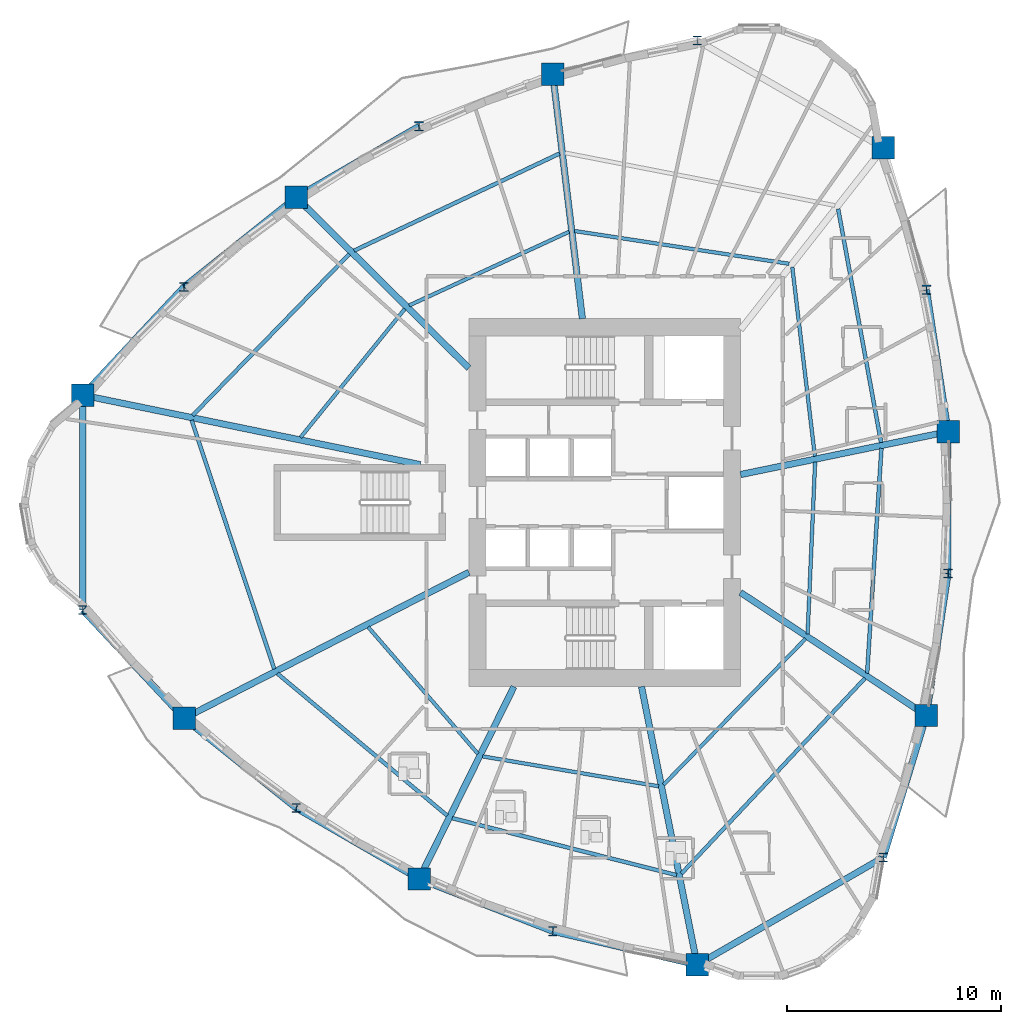
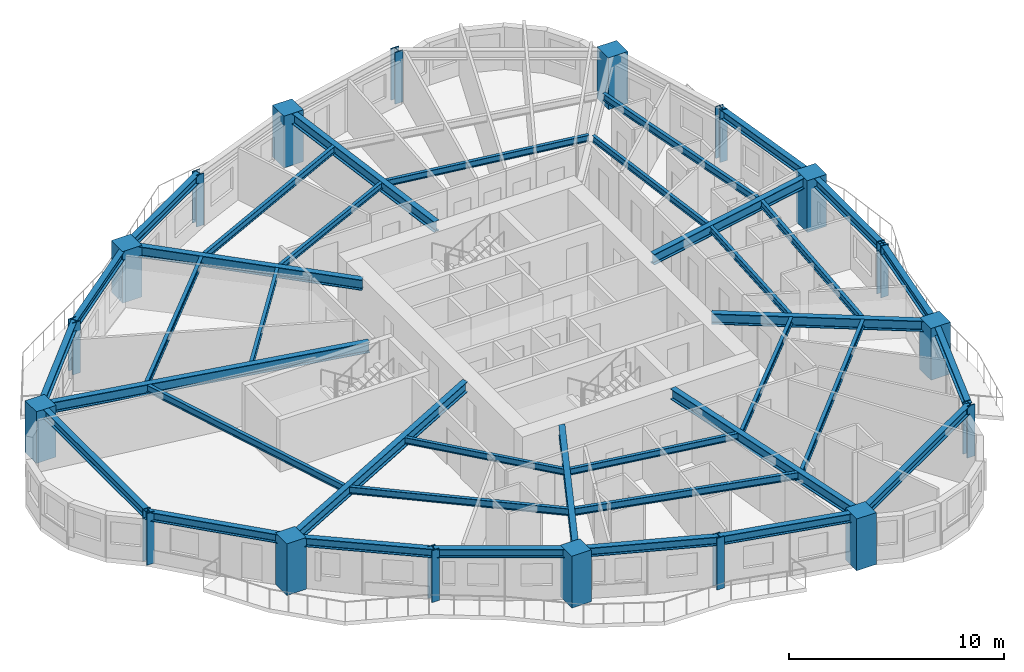
# One storey, part 1 of 14: 38 beams, 18 columns.
"""IFC4 building model written with IfcOpenShell, lengths in metres."""

from ifc_helpers import new_model, si_unit, direction, frame, origin, origin_2d, place, context, subcontext, project, spatial, rectangle, i_section, extrude, source, transform, mapped, material, material_profile, profile_set, type_object, element, save


model = new_model("IFC4")

# Units and contexts
model_context = context("Model", 3, precision=1e-05, world=origin(), true_north=direction((0.0, 1.0)))
body_context = subcontext(model_context, "Body", "Model", "MODEL_VIEW")
ifc_project = project(units=[si_unit("LENGTHUNIT", "METRE"), si_unit("AREAUNIT", "SQUARE_METRE"), si_unit("VOLUMEUNIT", "CUBIC_METRE"), si_unit("PLANEANGLEUNIT", "RADIAN"), si_unit("MASSUNIT", "GRAM", prefix="KILO")], contexts=[model_context])

# Site, building, storey
site_placement = place(None, origin())
site = spatial("IfcSite", under=ifc_project, at=site_placement, CompositionType="ELEMENT")
building_placement = place(site_placement, origin())
building = spatial("IfcBuilding", under=site, at=building_placement, Name="Qafzar Sky-Pleat Residences", CompositionType="ELEMENT")
storey_placement = place(building_placement, frame((0.0, 0.0, 20.60009765625)))
storey = spatial("IfcBuildingStorey", under=building, at=storey_placement, Name="L05", CompositionType="ELEMENT", Elevation=20.60009765625)

# Columns
ifc_material_1 = material(Name="Concrete C60/75", Category="concrete")
ifc_material_profile_1 = material_profile(ifc_material_1, rectangle(XDim=1.050048828125, YDim=1.050048828125, at=origin_2d()), Name="RC 1050x1050")
ifc_profile_set_1 = profile_set([ifc_material_profile_1], Name="Concrete C60/75")
column_type_1 = type_object("IfcColumnType", Name="COL-RC-1050", PredefinedType="COLUMN", material=ifc_profile_set_1)
shared_shape_1 = source(origin(), body_context, "Body", "SweptSolid", [
    extrude(rectangle(XDim=1.050048828125, YDim=1.050048828125, at=origin_2d()), origin(), (0.0, 0.0, 1.0), 2.93994140625),
])
for number, where, z_axis, x_axis, name in (
    (1, (5.955078125, 31.02294921875, 0.0), (0.0, 0.0, 1.0), (1.0, 0.0, 0.0), "L05 Perimeter Mega Column 1"),
    (2, (10.6904296875, 15.9150390625, 0.0), (0.0, 0.0, 1.0), (1.0, 0.0, 0.0), "L05 Perimeter Mega Column 3"),
    (3, (21.67333984375, 8.409912109375, 0.0), (0.0, 0.0, 1.0), (1.0, 0.0, 0.0), "L05 Perimeter Mega Column 5"),
    (4, (34.672607421875, 4.39697265625, 0.0), (0.0, 0.0, 1.0), (1.0, 0.0, 0.0), "L05 Perimeter Mega Column 7"),
    (5, (45.388671875, 16.052001953125, 0.0), (0.0, 0.0, 1.0), (1.0, 0.0, 0.0), "L05 Perimeter Mega Column 9"),
    (6, (46.396728515625, 29.31591796875, 0.0), (0.0, 0.0, 1.0), (1.0, 0.0, 0.0), "L05 Perimeter Mega Column 11"),
    (7, (43.37255859375, 42.580078125, 0.0), (0.0, 0.0, 1.0), (1.0, 0.0, 0.0), "L05 Perimeter Mega Column 13"),
    (8, (27.9208984375, 46.032958984375, 0.0), (0.0, 0.0, 1.0), (1.0, 0.0, 0.0), "L05 Perimeter Mega Column 15"),
    (9, (15.929931640625, 40.27392578125, 0.0), (0.0, 0.0, 1.0), (1.0, 0.0, 0.0), "L05 Perimeter Mega Column 17"),
):
    element("IfcColumn", number, at=place(storey_placement, frame(where, z_axis=z_axis, x_axis=x_axis)), inside=storey, type_object=column_type_1, Name=name, PredefinedType="COLUMN", context=body_context, shape_type="MappedRepresentation", body=[
        mapped(shared_shape_1, transform((0.0, 0.0, 0.0), x_axis=(1.0, 0.0, 0.0), y_axis=(0.0, 1.0, 0.0), z_axis=(0.0, 0.0, 1.0), scale=1.0)),
    ])
ifc_material_2 = material(Name="Steel S460", Category="steel")
ifc_material_profile_2 = material_profile(ifc_material_2, i_section(OverallWidth=0.408935546875, OverallDepth=0.425048828125, WebThickness=0.030029296875, FlangeThickness=0.048095703125, FilletRadius=0.014892578125, at=origin_2d()), Name="HD 400x421")
ifc_profile_set_2 = profile_set([ifc_material_profile_2], Name="Steel S460")
column_type_2 = type_object("IfcColumnType", Name="COL-STL-HD421", PredefinedType="PILASTER", material=ifc_profile_set_2)
shared_shape_2 = source(origin(), body_context, "Body", "SweptSolid", [
    extrude(i_section(OverallWidth=0.408935546875, OverallDepth=0.425048828125, WebThickness=0.030029296875, FlangeThickness=0.048095703125, FilletRadius=0.014892578125, at=origin_2d()), origin(), (0.0, 0.0, 1.0), 2.93994140625),
])
for number, where, z_axis, x_axis, name in (
    (10, (5.955078125, 20.97705078125, 0.0), (0.0, 0.0, 1.0), (1.0, 0.0, 0.0), "L05 Perimeter Mega Column 2"),
    (11, (15.929931640625, 11.72607421875, 0.0), (0.0, 0.0, 1.0), (1.0, 0.0, 0.0), "L05 Perimeter Mega Column 4"),
    (12, (27.9208984375, 5.967041015625, 0.0), (0.0, 0.0, 1.0), (1.0, 0.0, 0.0), "L05 Perimeter Mega Column 6"),
    (13, (43.37255859375, 9.419921875, 0.0), (0.0, 0.0, 1.0), (1.0, 0.0, 0.0), "L05 Perimeter Mega Column 8"),
    (14, (46.396728515625, 22.68408203125, 0.0), (0.0, 0.0, 1.0), (1.0, 0.0, 0.0), "L05 Perimeter Mega Column 10"),
    (15, (45.388671875, 35.947998046875, 0.0), (0.0, 0.0, 1.0), (1.0, 0.0, 0.0), "L05 Perimeter Mega Column 12"),
    (16, (34.672607421875, 47.60302734375, 0.0), (0.0, 0.0, 1.0), (1.0, 0.0, 0.0), "L05 Perimeter Mega Column 14"),
    (17, (21.67333984375, 43.590087890625, 0.0), (0.0, 0.0, 1.0), (1.0, 0.0, 0.0), "L05 Perimeter Mega Column 16"),
    (18, (10.6904296875, 36.0849609375, 0.0), (0.0, 0.0, 1.0), (1.0, 0.0, 0.0), "L05 Perimeter Mega Column 18"),
):
    element("IfcColumn", number, at=place(storey_placement, frame(where, z_axis=z_axis, x_axis=x_axis)), inside=storey, type_object=column_type_2, Name=name, PredefinedType="PILASTER", context=body_context, shape_type="MappedRepresentation", body=[
        mapped(shared_shape_2, transform((0.0, 0.0, 0.0), x_axis=(1.0, 0.0, 0.0), y_axis=(0.0, 1.0, 0.0), z_axis=(0.0, 0.0, 1.0), scale=1.0)),
    ])

# Beams
ifc_material_3 = material(Name="Steel S355", Category="steel")
ifc_material_profile_3 = material_profile(ifc_material_3, i_section(OverallWidth=0.300048828125, OverallDepth=0.5, WebThickness=0.014404296875, FlangeThickness=0.028076171875, FilletRadius=0.027099609375, at=origin_2d()), Name="HEB 500")
ifc_profile_set_3 = profile_set([ifc_material_profile_3], Name="Steel S355")
beam_type_1 = type_object("IfcBeamType", Name="BM-SPAN-HEB500", PredefinedType="SPANDREL", material=ifc_profile_set_3)
shared_shape_3 = source(origin(), body_context, "Body", "SweptSolid", [
    extrude(i_section(OverallWidth=0.300048828125, OverallDepth=0.5, WebThickness=0.014404296875, FlangeThickness=0.028076171875, FilletRadius=0.027099609375, at=origin_2d()), origin(), (0.0, 0.0, 1.0), 10.0458984375),
])
for number, where, z_axis, x_axis, name in (
    (19, (5.955078125, 31.02294921875, 2.68798828125), (0.0, -1.0, 0.0), (1.0, 0.0, 0.0), "L05 Perimeter Spandrel Beam 1"),
    (20, (34.672607421875, 4.39697265625, 2.68798828125), (0.866024107753, 0.500002244785, 0.0), (-0.500002244785, 0.866024107753, 0.0), "L05 Perimeter Spandrel Beam 7"),
):
    element("IfcBeam", number, at=place(storey_placement, frame(where, z_axis=z_axis, x_axis=x_axis)), inside=storey, type_object=beam_type_1, Name=name, PredefinedType="SPANDREL", context=body_context, shape_type="MappedRepresentation", body=[
        mapped(shared_shape_3, transform((0.0, 0.0, 0.0), x_axis=(1.0, 0.0, 0.0), y_axis=(0.0, 1.0, 0.0), z_axis=(0.0, 0.0, 1.0), scale=1.0)),
    ])
shared_shape_4 = source(origin(), body_context, "Body", "SweptSolid", [
    extrude(i_section(OverallWidth=0.300048828125, OverallDepth=0.5, WebThickness=0.014404296875, FlangeThickness=0.028076171875, FilletRadius=0.027099609375, at=origin_2d()), origin(), (0.0, 0.0, 1.0), 6.931640625),
])
for number, where, z_axis, x_axis, name in (
    (21, (5.955078125, 20.97705078125, 2.68798828125), (0.683151069605, -0.730277081728, 0.0), (0.730277081728, 0.683151069605, 0.0), "L05 Perimeter Spandrel Beam 2"),
    (22, (43.37255859375, 9.419921875, 2.68798828125), (0.290851866261, 0.956768097238, 0.0), (-0.956768097238, 0.290851866261, 0.0), "L05 Perimeter Spandrel Beam 8"),
    (23, (10.6904296875, 36.0849609375, 2.68798828125), (-0.683151069605, -0.730277081728, 0.0), (0.730277081728, -0.683151069605, 0.0), "L05 Perimeter Spandrel Beam 18"),
):
    element("IfcBeam", number, at=place(storey_placement, frame(where, z_axis=z_axis, x_axis=x_axis)), inside=storey, type_object=beam_type_1, Name=name, PredefinedType="SPANDREL", context=body_context, shape_type="MappedRepresentation", body=[
        mapped(shared_shape_4, transform((0.0, 0.0, 0.0), x_axis=(1.0, 0.0, 0.0), y_axis=(0.0, 1.0, 0.0), z_axis=(0.0, 0.0, 1.0), scale=1.0)),
    ])
shared_shape_5 = source(origin(), body_context, "Body", "SweptSolid", [
    extrude(i_section(OverallWidth=0.300048828125, OverallDepth=0.5, WebThickness=0.014404296875, FlangeThickness=0.028076171875, FilletRadius=0.027099609375, at=origin_2d()), origin(), (0.0, 0.0, 1.0), 6.708251953125),
])
for number, where, z_axis, x_axis, name in (
    (24, (10.6904296875, 15.9150390625, 2.68798828125), (0.781060509085, -0.624455347602, 0.0), (0.624455347602, 0.781060509085, 0.0), "L05 Perimeter Spandrel Beam 3"),
    (25, (21.67333984375, 8.409912109375, 2.68798828125), (0.931335108282, -0.364163309631, 0.0), (0.364163309631, 0.931335108282, 0.0), "L05 Perimeter Spandrel Beam 5"),
    (26, (45.388671875, 16.052001953125, 2.68798828125), (0.150271102321, 0.988644827937, 0.0), (-0.988644827937, 0.150271102321, 0.0), "L05 Perimeter Spandrel Beam 9"),
    (27, (46.396728515625, 29.31591796875, 2.68798828125), (-0.150271102321, 0.988644827937, 0.0), (-0.988644827937, -0.150271102321, 0.0), "L05 Perimeter Spandrel Beam 11"),
    (28, (15.929931640625, 40.27392578125, 2.68798828125), (-0.781060509085, -0.624455347602, 0.0), (0.624455347602, -0.781060509085, 0.0), "L05 Perimeter Spandrel Beam 17"),
):
    element("IfcBeam", number, at=place(storey_placement, frame(where, z_axis=z_axis, x_axis=x_axis)), inside=storey, type_object=beam_type_1, Name=name, PredefinedType="SPANDREL", context=body_context, shape_type="MappedRepresentation", body=[
        mapped(shared_shape_5, transform((0.0, 0.0, 0.0), x_axis=(1.0, 0.0, 0.0), y_axis=(0.0, 1.0, 0.0), z_axis=(0.0, 0.0, 1.0), scale=1.0)),
    ])
shared_shape_6 = source(origin(), body_context, "Body", "SweptSolid", [
    extrude(i_section(OverallWidth=0.300048828125, OverallDepth=0.5, WebThickness=0.014404296875, FlangeThickness=0.028076171875, FilletRadius=0.027099609375, at=origin_2d()), origin(), (0.0, 0.0, 1.0), 6.632080078125),
])
for number, where, z_axis, x_axis, name in (
    (29, (15.929931640625, 11.72607421875, 2.68798828125), (0.866012094692, -0.500023051316, 0.0), (0.500023051316, 0.866012094692, 0.0), "L05 Perimeter Spandrel Beam 4"),
    (30, (21.67333984375, 43.590087890625, 2.68798828125), (-0.866012094692, -0.500023051316, 0.0), (0.500023051316, -0.866012094692, 0.0), "L05 Perimeter Spandrel Beam 16"),
):
    element("IfcBeam", number, at=place(storey_placement, frame(where, z_axis=z_axis, x_axis=x_axis)), inside=storey, type_object=beam_type_1, Name=name, PredefinedType="SPANDREL", context=body_context, shape_type="MappedRepresentation", body=[
        mapped(shared_shape_6, transform((0.0, 0.0, 0.0), x_axis=(1.0, 0.0, 0.0), y_axis=(0.0, 1.0, 0.0), z_axis=(0.0, 0.0, 1.0), scale=1.0)),
    ])
shared_shape_7 = source(origin(), body_context, "Body", "SweptSolid", [
    extrude(i_section(OverallWidth=0.300048828125, OverallDepth=0.5, WebThickness=0.014404296875, FlangeThickness=0.028076171875, FilletRadius=0.027099609375, at=origin_2d()), origin(), (0.0, 0.0, 1.0), 6.931884765625),
])
beam_1_placement = place(storey_placement, frame((27.9208984375, 5.967041015625, 2.68798828125), z_axis=(0.974011098993, -0.226500284853, 0.0), x_axis=(0.226500284853, 0.974011098993, 0.0)))
element("IfcBeam", 31, at=beam_1_placement, inside=storey, type_object=beam_type_1, Name="L05 Perimeter Spandrel Beam 6", PredefinedType="SPANDREL", context=body_context, shape_type="MappedRepresentation", body=[
    mapped(shared_shape_7, transform((0.0, 0.0, 0.0), x_axis=(1.0, 0.0, 0.0), y_axis=(0.0, 1.0, 0.0), z_axis=(0.0, 0.0, 1.0), scale=1.0)),
])
shared_shape_8 = source(origin(), body_context, "Body", "SweptSolid", [
    extrude(i_section(OverallWidth=0.300048828125, OverallDepth=0.5, WebThickness=0.014404296875, FlangeThickness=0.028076171875, FilletRadius=0.027099609375, at=origin_2d()), origin(), (0.0, 0.0, 1.0), 6.6318359375),
])
beam_2_placement = place(storey_placement, frame((46.396728515625, 22.68408203125, 2.68798828125), z_axis=(0.0, 1.0, 0.0), x_axis=(-1.0, 0.0, 0.0)))
element("IfcBeam", 32, at=beam_2_placement, inside=storey, type_object=beam_type_1, Name="L05 Perimeter Spandrel Beam 10", PredefinedType="SPANDREL", context=body_context, shape_type="MappedRepresentation", body=[
    mapped(shared_shape_8, transform((0.0, 0.0, 0.0), x_axis=(1.0, 0.0, 0.0), y_axis=(0.0, 1.0, 0.0), z_axis=(0.0, 0.0, 1.0), scale=1.0)),
])
ifc_material_profile_4 = material_profile(ifc_material_3, i_section(OverallWidth=0.300048828125, OverallDepth=0.60009765625, WebThickness=0.015380859375, FlangeThickness=0.030029296875, FilletRadius=0.027099609375, at=origin_2d()), Name="HEB 600")
ifc_profile_set_4 = profile_set([ifc_material_profile_4], Name="Steel S355")
beam_type_2 = type_object("IfcBeamType", Name="BM-GIRD-HEB600", PredefinedType="BEAM", material=ifc_profile_set_4)
shared_shape_9 = source(origin(), body_context, "Body", "SweptSolid", [
    extrude(i_section(OverallWidth=0.300048828125, OverallDepth=0.60009765625, WebThickness=0.015380859375, FlangeThickness=0.030029296875, FilletRadius=0.027099609375, at=origin_2d()), origin(), (0.0, 0.0, 1.0), 16.10498046875),
])
beam_3_placement = place(storey_placement, frame((5.955078125, 31.02294921875, 2.637939453125), z_axis=(0.979451847285, -0.201678156603, 0.0), x_axis=(0.201678156603, 0.979451847285, 0.0)))
element("IfcBeam", 33, at=beam_3_placement, inside=storey, type_object=beam_type_2, Name="L05 Radial Floor Girder 1", PredefinedType="BEAM", context=body_context, shape_type="MappedRepresentation", body=[
    mapped(shared_shape_9, transform((0.0, 0.0, 0.0), x_axis=(1.0, 0.0, 0.0), y_axis=(0.0, 1.0, 0.0), z_axis=(0.0, 0.0, 1.0), scale=1.0)),
])
shared_shape_10 = source(origin(), body_context, "Body", "SweptSolid", [
    extrude(i_section(OverallWidth=0.300048828125, OverallDepth=0.60009765625, WebThickness=0.015380859375, FlangeThickness=0.030029296875, FilletRadius=0.027099609375, at=origin_2d()), origin(), (0.0, 0.0, 1.0), 14.958740234375),
])
beam_4_placement = place(storey_placement, frame((10.6904296875, 15.9150390625, 2.637939453125), z_axis=(0.889757302611, 0.45643394095, 0.0), x_axis=(-0.45643394095, 0.889757302611, 0.0)))
element("IfcBeam", 34, at=beam_4_placement, inside=storey, type_object=beam_type_2, Name="L05 Radial Floor Girder 3", PredefinedType="BEAM", context=body_context, shape_type="MappedRepresentation", body=[
    mapped(shared_shape_10, transform((0.0, 0.0, 0.0), x_axis=(1.0, 0.0, 0.0), y_axis=(0.0, 1.0, 0.0), z_axis=(0.0, 0.0, 1.0), scale=1.0)),
])
shared_shape_11 = source(origin(), body_context, "Body", "SweptSolid", [
    extrude(i_section(OverallWidth=0.300048828125, OverallDepth=0.60009765625, WebThickness=0.015380859375, FlangeThickness=0.030029296875, FilletRadius=0.027099609375, at=origin_2d()), origin(), (0.0, 0.0, 1.0), 10.024169921875),
])
beam_5_placement = place(storey_placement, frame((21.67333984375, 8.409912109375, 2.637939453125), z_axis=(0.442384799296, 0.896825339379, 0.0), x_axis=(-0.896825339379, 0.442384799296, 0.0)))
element("IfcBeam", 35, at=beam_5_placement, inside=storey, type_object=beam_type_2, Name="L05 Radial Floor Girder 5", PredefinedType="BEAM", context=body_context, shape_type="MappedRepresentation", body=[
    mapped(shared_shape_11, transform((0.0, 0.0, 0.0), x_axis=(1.0, 0.0, 0.0), y_axis=(0.0, 1.0, 0.0), z_axis=(0.0, 0.0, 1.0), scale=1.0)),
])
shared_shape_12 = source(origin(), body_context, "Body", "SweptSolid", [
    extrude(i_section(OverallWidth=0.300048828125, OverallDepth=0.60009765625, WebThickness=0.015380859375, FlangeThickness=0.030029296875, FilletRadius=0.027099609375, at=origin_2d()), origin(), (0.0, 0.0, 1.0), 13.2607421875),
])
beam_6_placement = place(storey_placement, frame((34.672607421875, 4.39697265625, 2.637939453125), z_axis=(-0.19620464814, 0.980562968936, 0.0), x_axis=(-0.980562968936, -0.19620464814, 0.0)))
element("IfcBeam", 36, at=beam_6_placement, inside=storey, type_object=beam_type_2, Name="L05 Radial Floor Girder 7", PredefinedType="BEAM", context=body_context, shape_type="MappedRepresentation", body=[
    mapped(shared_shape_12, transform((0.0, 0.0, 0.0), x_axis=(1.0, 0.0, 0.0), y_axis=(0.0, 1.0, 0.0), z_axis=(0.0, 0.0, 1.0), scale=1.0)),
])
shared_shape_13 = source(origin(), body_context, "Body", "SweptSolid", [
    extrude(i_section(OverallWidth=0.300048828125, OverallDepth=0.60009765625, WebThickness=0.015380859375, FlangeThickness=0.030029296875, FilletRadius=0.027099609375, at=origin_2d()), origin(), (0.0, 0.0, 1.0), 10.417724609375),
])
beam_7_placement = place(storey_placement, frame((45.388671875, 16.052001953125, 2.637939453125), z_axis=(-0.834035127729, 0.551711342746, 0.0), x_axis=(-0.551711342746, -0.834035127729, 0.0)))
element("IfcBeam", 37, at=beam_7_placement, inside=storey, type_object=beam_type_2, Name="L05 Radial Floor Girder 9", PredefinedType="BEAM", context=body_context, shape_type="MappedRepresentation", body=[
    mapped(shared_shape_13, transform((0.0, 0.0, 0.0), x_axis=(1.0, 0.0, 0.0), y_axis=(0.0, 1.0, 0.0), z_axis=(0.0, 0.0, 1.0), scale=1.0)),
])
shared_shape_14 = source(origin(), body_context, "Body", "SweptSolid", [
    extrude(i_section(OverallWidth=0.300048828125, OverallDepth=0.60009765625, WebThickness=0.015380859375, FlangeThickness=0.030029296875, FilletRadius=0.027099609375, at=origin_2d()), origin(), (0.0, 0.0, 1.0), 9.901611328125),
])
beam_8_placement = place(storey_placement, frame((46.396728515625, 29.31591796875, 2.637939453125), z_axis=(-0.979311837903, -0.202356922646, 0.0), x_axis=(0.202356922646, -0.979311837903, 0.0)))
element("IfcBeam", 38, at=beam_8_placement, inside=storey, type_object=beam_type_2, Name="L05 Radial Floor Girder 11", PredefinedType="BEAM", context=body_context, shape_type="MappedRepresentation", body=[
    mapped(shared_shape_14, transform((0.0, 0.0, 0.0), x_axis=(1.0, 0.0, 0.0), y_axis=(0.0, 1.0, 0.0), z_axis=(0.0, 0.0, 1.0), scale=1.0)),
])
shared_shape_15 = source(origin(), body_context, "Body", "SweptSolid", [
    extrude(i_section(OverallWidth=0.300048828125, OverallDepth=0.60009765625, WebThickness=0.015380859375, FlangeThickness=0.030029296875, FilletRadius=0.027099609375, at=origin_2d()), origin(), (0.0, 0.0, 1.0), 11.5166015625),
])
beam_9_placement = place(storey_placement, frame((27.9208984375, 46.032958984375, 2.637939453125), z_axis=(0.120368086841, -0.992729330518, 0.0), x_axis=(0.992729330518, 0.120368086841, 0.0)))
element("IfcBeam", 39, at=beam_9_placement, inside=storey, type_object=beam_type_2, Name="L05 Radial Floor Girder 15", PredefinedType="BEAM", context=body_context, shape_type="MappedRepresentation", body=[
    mapped(shared_shape_15, transform((0.0, 0.0, 0.0), x_axis=(1.0, 0.0, 0.0), y_axis=(0.0, 1.0, 0.0), z_axis=(0.0, 0.0, 1.0), scale=1.0)),
])
shared_shape_16 = source(origin(), body_context, "Body", "SweptSolid", [
    extrude(i_section(OverallWidth=0.300048828125, OverallDepth=0.60009765625, WebThickness=0.015380859375, FlangeThickness=0.030029296875, FilletRadius=0.027099609375, at=origin_2d()), origin(), (0.0, 0.0, 1.0), 11.355224609375),
])
beam_10_placement = place(storey_placement, frame((15.929931640625, 40.27392578125, 2.637939453125), z_axis=(0.710698943558, -0.703496276909, 0.0), x_axis=(0.703496276909, 0.710698943558, 0.0)))
element("IfcBeam", 40, at=beam_10_placement, inside=storey, type_object=beam_type_2, Name="L05 Radial Floor Girder 17", PredefinedType="BEAM", context=body_context, shape_type="MappedRepresentation", body=[
    mapped(shared_shape_16, transform((0.0, 0.0, 0.0), x_axis=(1.0, 0.0, 0.0), y_axis=(0.0, 1.0, 0.0), z_axis=(0.0, 0.0, 1.0), scale=1.0)),
])
ifc_material_profile_5 = material_profile(ifc_material_3, i_section(OverallWidth=0.179931640625, OverallDepth=0.39990234375, WebThickness=0.008544921875, FlangeThickness=0.013427734375, FilletRadius=0.02099609375, at=origin_2d()), Name="IPE 400")
ifc_profile_set_5 = profile_set([ifc_material_profile_5], Name="Steel S355")
beam_type_3 = type_object("IfcBeamType", Name="BM-JST-IPE400", PredefinedType="JOIST", material=ifc_profile_set_5)
shared_shape_17 = source(origin(), body_context, "Body", "SweptSolid", [
    extrude(i_section(OverallWidth=0.179931640625, OverallDepth=0.39990234375, WebThickness=0.008544921875, FlangeThickness=0.013427734375, FilletRadius=0.02099609375, at=origin_2d()), origin(), (0.0, 0.0, 1.0), 12.251953125),
])
beam_11_placement = place(storey_placement, frame((11.04541015625, 29.85546875, 2.73779296875), z_axis=(0.31518141932, -0.949031439371, 0.0), x_axis=(0.949031439371, 0.31518141932, 0.0)))
element("IfcBeam", 41, at=beam_11_placement, inside=storey, type_object=beam_type_3, Name="L05 Outer Secondary Floor Joist 1", PredefinedType="JOIST", context=body_context, shape_type="MappedRepresentation", body=[
    mapped(shared_shape_17, transform((0.0, 0.0, 0.0), x_axis=(1.0, 0.0, 0.0), y_axis=(0.0, 1.0, 0.0), z_axis=(0.0, 0.0, 1.0), scale=1.0)),
])
shared_shape_18 = source(origin(), body_context, "Body", "SweptSolid", [
    extrude(i_section(OverallWidth=0.179931640625, OverallDepth=0.39990234375, WebThickness=0.008544921875, FlangeThickness=0.013427734375, FilletRadius=0.02099609375, at=origin_2d()), origin(), (0.0, 0.0, 1.0), 10.347412109375),
])
beam_12_placement = place(storey_placement, frame((15.052978515625, 18.01318359375, 2.73779296875), z_axis=(0.766958843981, -0.641696292369, 0.0), x_axis=(0.641696292369, 0.766958843981, 0.0)))
element("IfcBeam", 42, at=beam_12_placement, inside=storey, type_object=beam_type_3, Name="L05 Outer Secondary Floor Joist 2", PredefinedType="JOIST", context=body_context, shape_type="MappedRepresentation", body=[
    mapped(shared_shape_18, transform((0.0, 0.0, 0.0), x_axis=(1.0, 0.0, 0.0), y_axis=(0.0, 1.0, 0.0), z_axis=(0.0, 0.0, 1.0), scale=1.0)),
])
shared_shape_19 = source(origin(), body_context, "Body", "SweptSolid", [
    extrude(i_section(OverallWidth=0.179931640625, OverallDepth=0.39990234375, WebThickness=0.008544921875, FlangeThickness=0.013427734375, FilletRadius=0.02099609375, at=origin_2d()), origin(), (0.0, 0.0, 1.0), 10.818359375),
])
beam_13_placement = place(storey_placement, frame((23.223388671875, 11.253662109375, 2.73779296875), z_axis=(0.969245210668, -0.246096976003, 0.0), x_axis=(0.246096976003, 0.969245210668, 0.0)))
element("IfcBeam", 43, at=beam_13_placement, inside=storey, type_object=beam_type_3, Name="L05 Outer Secondary Floor Joist 3", PredefinedType="JOIST", context=body_context, shape_type="MappedRepresentation", body=[
    mapped(shared_shape_19, transform((0.0, 0.0, 0.0), x_axis=(1.0, 0.0, 0.0), y_axis=(0.0, 1.0, 0.0), z_axis=(0.0, 0.0, 1.0), scale=1.0)),
])
shared_shape_20 = source(origin(), body_context, "Body", "SweptSolid", [
    extrude(i_section(OverallWidth=0.179931640625, OverallDepth=0.39990234375, WebThickness=0.008544921875, FlangeThickness=0.013427734375, FilletRadius=0.02099609375, at=origin_2d()), origin(), (0.0, 0.0, 1.0), 12.535888671875),
])
beam_14_placement = place(storey_placement, frame((33.932373046875, 8.656494140625, 2.73779296875), z_axis=(0.684716843455, 0.728809196079, 0.0), x_axis=(-0.728809196079, 0.684716843455, 0.0)))
element("IfcBeam", 44, at=beam_14_placement, inside=storey, type_object=beam_type_3, Name="L05 Outer Secondary Floor Joist 4", PredefinedType="JOIST", context=body_context, shape_type="MappedRepresentation", body=[
    mapped(shared_shape_20, transform((0.0, 0.0, 0.0), x_axis=(1.0, 0.0, 0.0), y_axis=(0.0, 1.0, 0.0), z_axis=(0.0, 0.0, 1.0), scale=1.0)),
])
shared_shape_21 = source(origin(), body_context, "Body", "SweptSolid", [
    extrude(i_section(OverallWidth=0.179931640625, OverallDepth=0.39990234375, WebThickness=0.008544921875, FlangeThickness=0.013427734375, FilletRadius=0.02099609375, at=origin_2d()), origin(), (0.0, 0.0, 1.0), 10.535400390625),
])
beam_15_placement = place(storey_placement, frame((42.61669921875, 18.02587890625, 2.73779296875), z_axis=(0.063448734533, 0.99798509913, 0.0), x_axis=(-0.99798509913, 0.063448734533, 0.0)))
element("IfcBeam", 45, at=beam_15_placement, inside=storey, type_object=beam_type_3, Name="L05 Outer Secondary Floor Joist 5", PredefinedType="JOIST", context=body_context, shape_type="MappedRepresentation", body=[
    mapped(shared_shape_21, transform((0.0, 0.0, 0.0), x_axis=(1.0, 0.0, 0.0), y_axis=(0.0, 1.0, 0.0), z_axis=(0.0, 0.0, 1.0), scale=1.0)),
])
shared_shape_22 = source(origin(), body_context, "Body", "SweptSolid", [
    extrude(i_section(OverallWidth=0.179931640625, OverallDepth=0.39990234375, WebThickness=0.008544921875, FlangeThickness=0.013427734375, FilletRadius=0.02099609375, at=origin_2d()), origin(), (0.0, 0.0, 1.0), 11.104248046875),
])
beam_16_placement = place(storey_placement, frame((43.269287109375, 28.8076171875, 2.73779296875), z_axis=(-0.180794758239, 0.983520846446, 0.0), x_axis=(-0.983520846446, -0.180794758239, 0.0)))
element("IfcBeam", 46, at=beam_16_placement, inside=storey, type_object=beam_type_3, Name="L05 Outer Secondary Floor Joist 6", PredefinedType="JOIST", context=body_context, shape_type="MappedRepresentation", body=[
    mapped(shared_shape_22, transform((0.0, 0.0, 0.0), x_axis=(1.0, 0.0, 0.0), y_axis=(0.0, 1.0, 0.0), z_axis=(0.0, 0.0, 1.0), scale=1.0)),
])
shared_shape_23 = source(origin(), body_context, "Body", "SweptSolid", [
    extrude(i_section(OverallWidth=0.179931640625, OverallDepth=0.39990234375, WebThickness=0.008544921875, FlangeThickness=0.013427734375, FilletRadius=0.02099609375, at=origin_2d()), origin(), (0.0, 0.0, 1.0), 10.627197265625),
])
beam_17_placement = place(storey_placement, frame((28.242431640625, 42.31689453125, 2.73779296875), z_axis=(-0.904087436568, -0.427347524903, 0.0), x_axis=(0.427347524903, -0.904087436568, 0.0)))
element("IfcBeam", 47, at=beam_17_placement, inside=storey, type_object=beam_type_3, Name="L05 Outer Secondary Floor Joist 8", PredefinedType="JOIST", context=body_context, shape_type="MappedRepresentation", body=[
    mapped(shared_shape_23, transform((0.0, 0.0, 0.0), x_axis=(1.0, 0.0, 0.0), y_axis=(0.0, 1.0, 0.0), z_axis=(0.0, 0.0, 1.0), scale=1.0)),
])
shared_shape_24 = source(origin(), body_context, "Body", "SweptSolid", [
    extrude(i_section(OverallWidth=0.179931640625, OverallDepth=0.39990234375, WebThickness=0.008544921875, FlangeThickness=0.013427734375, FilletRadius=0.02099609375, at=origin_2d()), origin(), (0.0, 0.0, 1.0), 10.51025390625),
])
beam_18_placement = place(storey_placement, frame((18.418212890625, 37.620849609375, 2.73779296875), z_axis=(-0.696611861591, -0.717448196242, 0.0), x_axis=(0.717448196242, -0.696611861591, 0.0)))
element("IfcBeam", 48, at=beam_18_placement, inside=storey, type_object=beam_type_3, Name="L05 Outer Secondary Floor Joist 9", PredefinedType="JOIST", context=body_context, shape_type="MappedRepresentation", body=[
    mapped(shared_shape_24, transform((0.0, 0.0, 0.0), x_axis=(1.0, 0.0, 0.0), y_axis=(0.0, 1.0, 0.0), z_axis=(0.0, 0.0, 1.0), scale=1.0)),
])
ifc_material_profile_6 = material_profile(ifc_material_3, i_section(OverallWidth=0.169921875, OverallDepth=0.360107421875, WebThickness=0.008056640625, FlangeThickness=0.0126953125, FilletRadius=0.01806640625, at=origin_2d()), Name="IPE 360")
ifc_profile_set_6 = profile_set([ifc_material_profile_6], Name="Steel S355")
beam_type_4 = type_object("IfcBeamType", Name="BM-JST-IPE360", PredefinedType="JOIST", material=ifc_profile_set_6)
shared_shape_25 = source(origin(), body_context, "Body", "SweptSolid", [
    extrude(i_section(OverallWidth=0.169921875, OverallDepth=0.360107421875, WebThickness=0.008056640625, FlangeThickness=0.0126953125, FilletRadius=0.01806640625, at=origin_2d()), origin(), (0.0, 0.0, 1.0), 7.82861328125),
])
beam_19_placement = place(storey_placement, frame((19.296875, 20.1826171875, 2.7578125), z_axis=(0.654796368268, -0.755805342732, 0.0), x_axis=(0.755805342732, 0.654796368268, 0.0)))
element("IfcBeam", 49, at=beam_19_placement, inside=storey, type_object=beam_type_4, Name="L05 Inner Secondary Floor Joist 2", PredefinedType="JOIST", context=body_context, shape_type="MappedRepresentation", body=[
    mapped(shared_shape_25, transform((0.0, 0.0, 0.0), x_axis=(1.0, 0.0, 0.0), y_axis=(0.0, 1.0, 0.0), z_axis=(0.0, 0.0, 1.0), scale=1.0)),
])
shared_shape_26 = source(origin(), body_context, "Body", "SweptSolid", [
    extrude(i_section(OverallWidth=0.169921875, OverallDepth=0.360107421875, WebThickness=0.008056640625, FlangeThickness=0.0126953125, FilletRadius=0.01806640625, at=origin_2d()), origin(), (0.0, 0.0, 1.0), 8.347900390625),
])
beam_20_placement = place(storey_placement, frame((24.64453125, 14.14111328125, 2.7578125), z_axis=(0.985848742528, -0.167637277646, 0.0), x_axis=(0.167637277646, 0.985848742528, 0.0)))
element("IfcBeam", 50, at=beam_20_placement, inside=storey, type_object=beam_type_4, Name="L05 Inner Secondary Floor Joist 3", PredefinedType="JOIST", context=body_context, shape_type="MappedRepresentation", body=[
    mapped(shared_shape_26, transform((0.0, 0.0, 0.0), x_axis=(1.0, 0.0, 0.0), y_axis=(0.0, 1.0, 0.0), z_axis=(0.0, 0.0, 1.0), scale=1.0)),
])
shared_shape_27 = source(origin(), body_context, "Body", "SweptSolid", [
    extrude(i_section(OverallWidth=0.169921875, OverallDepth=0.360107421875, WebThickness=0.008056640625, FlangeThickness=0.0126953125, FilletRadius=0.01806640625, at=origin_2d()), origin(), (0.0, 0.0, 1.0), 9.51171875),
])
beam_21_placement = place(storey_placement, frame((33.1015625, 12.815673828125, 2.7578125), z_axis=(0.697285822608, 0.716793193041, 0.0), x_axis=(-0.716793193041, 0.697285822608, 0.0)))
element("IfcBeam", 51, at=beam_21_placement, inside=storey, type_object=beam_type_4, Name="L05 Inner Secondary Floor Joist 4", PredefinedType="JOIST", context=body_context, shape_type="MappedRepresentation", body=[
    mapped(shared_shape_27, transform((0.0, 0.0, 0.0), x_axis=(1.0, 0.0, 0.0), y_axis=(0.0, 1.0, 0.0), z_axis=(0.0, 0.0, 1.0), scale=1.0)),
])
shared_shape_28 = source(origin(), body_context, "Body", "SweptSolid", [
    extrude(i_section(OverallWidth=0.169921875, OverallDepth=0.360107421875, WebThickness=0.008056640625, FlangeThickness=0.0126953125, FilletRadius=0.01806640625, at=origin_2d()), origin(), (0.0, 0.0, 1.0), 8.041015625),
])
beam_22_placement = place(storey_placement, frame((39.833740234375, 19.865234375, 2.7578125), z_axis=(0.043659893581, 0.99904645222, 0.0), x_axis=(-0.99904645222, 0.043659893581, 0.0)))
element("IfcBeam", 52, at=beam_22_placement, inside=storey, type_object=beam_type_4, Name="L05 Inner Secondary Floor Joist 5", PredefinedType="JOIST", context=body_context, shape_type="MappedRepresentation", body=[
    mapped(shared_shape_28, transform((0.0, 0.0, 0.0), x_axis=(1.0, 0.0, 0.0), y_axis=(0.0, 1.0, 0.0), z_axis=(0.0, 0.0, 1.0), scale=1.0)),
])
shared_shape_29 = source(origin(), body_context, "Body", "SweptSolid", [
    extrude(i_section(OverallWidth=0.169921875, OverallDepth=0.360107421875, WebThickness=0.008056640625, FlangeThickness=0.0126953125, FilletRadius=0.01806640625, at=origin_2d()), origin(), (0.0, 0.0, 1.0), 8.904541015625),
])
beam_23_placement = place(storey_placement, frame((40.1748046875, 28.16748046875, 2.7578125), z_axis=(-0.118664098327, 0.992934454921, 0.0), x_axis=(-0.992934454921, -0.118664098327, 0.0)))
element("IfcBeam", 53, at=beam_23_placement, inside=storey, type_object=beam_type_4, Name="L05 Inner Secondary Floor Joist 6", PredefinedType="JOIST", context=body_context, shape_type="MappedRepresentation", body=[
    mapped(shared_shape_29, transform((0.0, 0.0, 0.0), x_axis=(1.0, 0.0, 0.0), y_axis=(0.0, 1.0, 0.0), z_axis=(0.0, 0.0, 1.0), scale=1.0)),
])
shared_shape_30 = source(origin(), body_context, "Body", "SweptSolid", [
    extrude(i_section(OverallWidth=0.169921875, OverallDepth=0.360107421875, WebThickness=0.008056640625, FlangeThickness=0.0126953125, FilletRadius=0.01806640625, at=origin_2d()), origin(), (0.0, 0.0, 1.0), 10.143310546875),
])
beam_24_placement = place(storey_placement, frame((38.968505859375, 37.163330078125, 2.7578125), z_axis=(-0.988524791494, 0.151058719051, 0.0), x_axis=(-0.151058719051, -0.988524791494, 0.0)))
element("IfcBeam", 54, at=beam_24_placement, inside=storey, type_object=beam_type_4, Name="L05 Inner Secondary Floor Joist 7", PredefinedType="JOIST", context=body_context, shape_type="MappedRepresentation", body=[
    mapped(shared_shape_30, transform((0.0, 0.0, 0.0), x_axis=(1.0, 0.0, 0.0), y_axis=(0.0, 1.0, 0.0), z_axis=(0.0, 0.0, 1.0), scale=1.0)),
])
shared_shape_31 = source(origin(), body_context, "Body", "SweptSolid", [
    extrude(i_section(OverallWidth=0.169921875, OverallDepth=0.360107421875, WebThickness=0.008056640625, FlangeThickness=0.0126953125, FilletRadius=0.01806640625, at=origin_2d()), origin(), (0.0, 0.0, 1.0), 8.22314453125),
])
beam_25_placement = place(storey_placement, frame((28.685546875, 38.659423828125, 2.7578125), z_axis=(-0.908212957779, -0.418508331247, 0.0), x_axis=(0.418508331247, -0.908212957779, 0.0)))
element("IfcBeam", 55, at=beam_25_placement, inside=storey, type_object=beam_type_4, Name="L05 Inner Secondary Floor Joist 8", PredefinedType="JOIST", context=body_context, shape_type="MappedRepresentation", body=[
    mapped(shared_shape_31, transform((0.0, 0.0, 0.0), x_axis=(1.0, 0.0, 0.0), y_axis=(0.0, 1.0, 0.0), z_axis=(0.0, 0.0, 1.0), scale=1.0)),
])
shared_shape_32 = source(origin(), body_context, "Body", "SweptSolid", [
    extrude(i_section(OverallWidth=0.169921875, OverallDepth=0.360107421875, WebThickness=0.008056640625, FlangeThickness=0.0126953125, FilletRadius=0.01806640625, at=origin_2d()), origin(), (0.0, 0.0, 1.0), 7.736328125),
])
beam_26_placement = place(storey_placement, frame((21.009765625, 35.056640625, 2.7578125), z_axis=(-0.630056656092, -0.776549167867, 0.0), x_axis=(0.776549167867, -0.630056656092, 0.0)))
element("IfcBeam", 56, at=beam_26_placement, inside=storey, type_object=beam_type_4, Name="L05 Inner Secondary Floor Joist 9", PredefinedType="JOIST", context=body_context, shape_type="MappedRepresentation", body=[
    mapped(shared_shape_32, transform((0.0, 0.0, 0.0), x_axis=(1.0, 0.0, 0.0), y_axis=(0.0, 1.0, 0.0), z_axis=(0.0, 0.0, 1.0), scale=1.0)),
])

save(model, "model.ifc")
